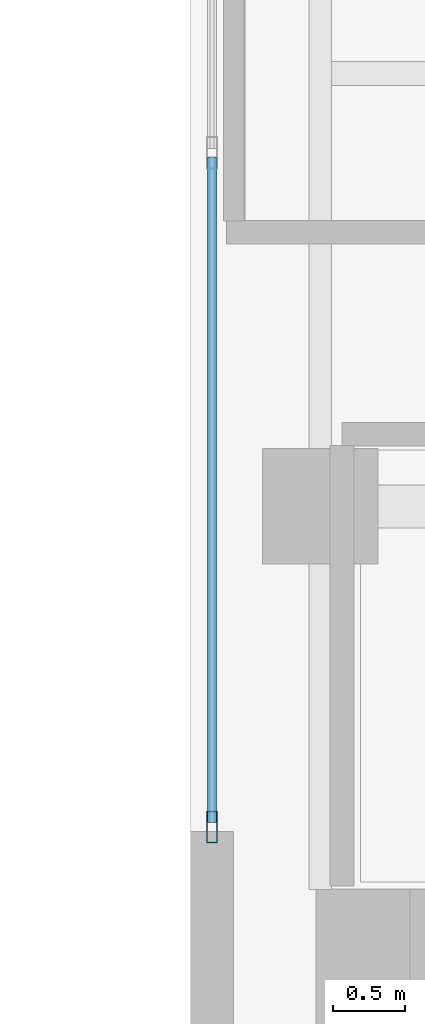
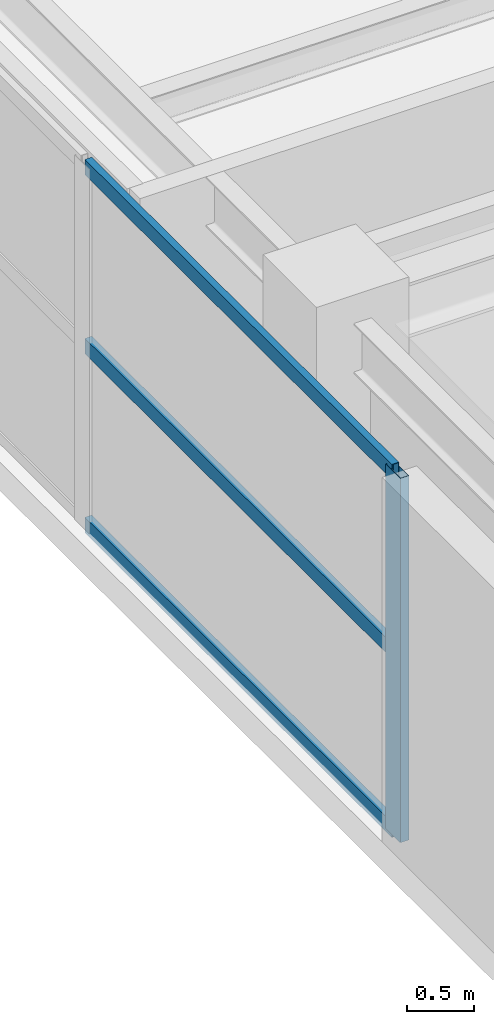
# One storey, part 8 of 21: 4 members, 1 element without a shape of its own.
"""IFC4 building model written with IfcOpenShell, lengths in metres."""

import ifcopenshell
import ifcopenshell.guid

model = None  # the IFC model being written
_history = None  # IfcOwnerHistory: only IFC2X3 demands one
_inside = {}  # id of a spatial element -> (the spatial element, [elements in it])
_under = {}  # id of a project, library or spatial element -> (it, [spatial elements below it])
_declared = {}  # id of a project -> (the project, [libraries it declares])
_typed = {}  # id of a type object -> (the type object, [elements of that type])
_made_of = {}  # id of a material, layer set ... -> (it, [elements and type objects made of it])


def new_model(schema):
    """Start an empty IFC model of exactly this schema.

    Asked for "IFC4X3", IfcOpenShell would pick the latest addendum, in which some entities
    have other attributes; the version numbers below select the first issue.
    IFC2X3 requires an IfcOwnerHistory on every rooted entity: one is made here for all.
    """
    global model, _history
    if schema == "IFC4X3":
        model = ifcopenshell.file(schema_version=(4, 3, 0, 0))
    else:
        model = ifcopenshell.file(schema=schema)
    _inside.clear()
    _under.clear()
    _declared.clear()
    _typed.clear()
    _made_of.clear()
    _history = None
    if model.schema == "IFC2X3":
        org = make("IfcOrganization", Name="unknown")
        user = make(
            "IfcPersonAndOrganization",
            ThePerson=make("IfcPerson", FamilyName="unknown"),
            TheOrganization=org,
        )
        app = make(
            "IfcApplication",
            ApplicationDeveloper=org,
            Version="unknown",
            ApplicationFullName="unknown",
            ApplicationIdentifier="unknown",
        )
        _history = make(
            "IfcOwnerHistory",
            OwningUser=user,
            OwningApplication=app,
            ChangeAction="ADDED",
            CreationDate=0,
        )
    return model


def make(cls, **values):
    """One entity of the class cls with the attributes given. An attribute that is None is left unset."""
    return model.create_entity(
        cls, **{name: value for name, value in values.items() if value is not None}
    )


def rooted(cls, **values):
    """An entity with a GlobalId (a new one), such as an element, a storey or a relation."""
    return make(cls, GlobalId=ifcopenshell.guid.new(), OwnerHistory=_history, **values)


def si_unit(unit_type, name, prefix=None):
    """IfcSIUnit, for example si_unit("LENGTHUNIT", "METRE", prefix="MILLI")."""
    return make("IfcSIUnit", UnitType=unit_type, Prefix=prefix, Name=name)


def assignment(units):
    """IfcUnitAssignment: the units of a project."""
    return None if units is None else make("IfcUnitAssignment", Units=units)


def point(xyz):
    """IfcCartesianPoint."""
    return None if xyz is None else make("IfcCartesianPoint", Coordinates=xyz)


def direction(xyz):
    """IfcDirection."""
    return None if xyz is None else make("IfcDirection", DirectionRatios=xyz)


def frame(location, z_axis=None, x_axis=None):
    """IfcAxis2Placement3D, a coordinate frame: its origin and axes. An axis left out is left unset."""
    return make(
        "IfcAxis2Placement3D",
        Location=point(location),
        Axis=direction(z_axis),
        RefDirection=direction(x_axis),
    )


def frame_2d(location, x_axis=None):
    """IfcAxis2Placement2D, a coordinate frame in the plane: its origin and x axis."""
    return make(
        "IfcAxis2Placement2D", Location=point(location), RefDirection=direction(x_axis)
    )


def origin():
    """The frame at (0, 0, 0) with its axes left unset."""
    return frame((0.0, 0.0, 0.0))


def origin_2d():
    """The frame at (0, 0) in the plane with its x axis left unset."""
    return frame_2d((0.0, 0.0))


def place(relative_to, where):
    """IfcLocalPlacement: puts the frame where relative to a parent placement (None: the world)."""
    return make(
        "IfcLocalPlacement", PlacementRelTo=relative_to, RelativePlacement=where
    )


def context(
    kind, dimensions, precision=None, world=None, true_north=None, identifier=None
):
    """IfcGeometricRepresentationContext, for example the 3D "Model" context."""
    return make(
        "IfcGeometricRepresentationContext",
        ContextIdentifier=identifier,
        ContextType=kind,
        CoordinateSpaceDimension=dimensions,
        Precision=precision,
        WorldCoordinateSystem=world,
        TrueNorth=true_north,
    )


def subcontext(parent, identifier, kind, view, scale=None):
    """IfcGeometricRepresentationSubContext, for example "Body" below "Model"."""
    return make(
        "IfcGeometricRepresentationSubContext",
        ContextIdentifier=identifier,
        ContextType=kind,
        ParentContext=parent,
        TargetScale=scale,
        TargetView=view,
    )


def project(units=None, contexts=None):
    """IfcProject with its units and contexts."""
    return rooted(
        "IfcProject",
        Name="project",
        RepresentationContexts=contexts,
        UnitsInContext=assignment(units),
    )


def spatial(cls, under=None, at=None, **own):
    """A site, building, storey or space (cls), placed at a placement, below another one or the project."""
    s = rooted(cls, ObjectPlacement=at, **own)
    if under is not None:
        _under.setdefault(under.id(), (under, []))[1].append(s)
    return s


def profile(cls, at=None, kind="AREA", **sizes):
    """A parametric profile (cls). Its sizes go by their IFC names, for example OverallWidth=200.0."""
    return make(cls, ProfileType=kind, Position=at, **sizes)


def hollow_rectangle(**sizes):
    """IfcRectangleHollowProfileDef."""
    return profile("IfcRectangleHollowProfileDef", **sizes)


def extrude(swept, where, along, depth):
    """IfcExtrudedAreaSolid: the profile swept, set in the frame where, extruded along a direction by depth."""
    return make(
        "IfcExtrudedAreaSolid",
        SweptArea=swept,
        Position=where,
        ExtrudedDirection=direction(along),
        Depth=depth,
    )


def shape(context_of_items, identifier, shape_type, items):
    """IfcShapeRepresentation: the items that make up one representation, for example the "Body"."""
    return make(
        "IfcShapeRepresentation",
        ContextOfItems=context_of_items,
        RepresentationIdentifier=identifier,
        RepresentationType=shape_type,
        Items=items,
    )


def source(mapping_origin, context_of_items, identifier, shape_type, items):
    """IfcRepresentationMap: a shape defined once, which mapped items show again and again."""
    return make(
        "IfcRepresentationMap",
        MappingOrigin=mapping_origin,
        MappedRepresentation=shape(context_of_items, identifier, shape_type, items),
    )


def transform(
    local_origin,
    x_axis=None,
    y_axis=None,
    z_axis=None,
    scale=None,
    scale2=None,
    scale3=None,
    uniform=True,
):
    """IfcCartesianTransformationOperator3D, or its non-uniform kind. x_axis, y_axis, z_axis: its Axis1, 2, 3."""
    if uniform:
        return make(
            "IfcCartesianTransformationOperator3D",
            Axis1=direction(x_axis),
            Axis2=direction(y_axis),
            LocalOrigin=point(local_origin),
            Scale=scale,
            Axis3=direction(z_axis),
        )
    return make(
        "IfcCartesianTransformationOperator3DnonUniform",
        Axis1=direction(x_axis),
        Axis2=direction(y_axis),
        LocalOrigin=point(local_origin),
        Scale=scale,
        Axis3=direction(z_axis),
        Scale2=scale2,
        Scale3=scale3,
    )


def mapped(mapping_source, mapping_target):
    """IfcMappedItem: shows the shape of a source again, moved by a transform."""
    return make(
        "IfcMappedItem", MappingSource=mapping_source, MappingTarget=mapping_target
    )


def material(Name=None, Category=None):
    """IfcMaterial."""
    return make("IfcMaterial", Name=Name, Category=Category)


def layer(
    of_material, thickness, ventilated=None, Name=None, Category=None, Priority=None
):
    """IfcMaterialLayer: one layer of a wall or slab, of a material (None: an air gap)."""
    return make(
        "IfcMaterialLayer",
        Material=of_material,
        LayerThickness=thickness,
        IsVentilated=ventilated,
        Name=Name,
        Category=Category,
        Priority=Priority,
    )


def layer_set(layers, Name=None):
    """IfcMaterialLayerSet."""
    return make("IfcMaterialLayerSet", MaterialLayers=layers, LayerSetName=Name)


def material_profile(
    of_material, cross_section, Name=None, Category=None, Priority=None
):
    """IfcMaterialProfile: a cross section and its material."""
    return make(
        "IfcMaterialProfile",
        Name=Name,
        Material=of_material,
        Profile=cross_section,
        Priority=Priority,
        Category=Category,
    )


def profile_set(profiles, Name=None, composite=None):
    """IfcMaterialProfileSet."""
    return make(
        "IfcMaterialProfileSet",
        Name=Name,
        MaterialProfiles=profiles,
        CompositeProfile=composite,
    )


def made_of(thing, what):
    """Note that an element or type object is made of a material, layer set ...; save() writes the relation."""
    if what is not None:
        _made_of.setdefault(what.id(), (what, []))[1].append(thing)
    return thing


def type_object(cls, material=None, **own):
    """A type object (cls), such as IfcWallType, which elements share."""
    return made_of(rooted(cls, **own), material)


def element(
    cls,
    number,
    at=None,
    inside=None,
    cuts=None,
    type_object=None,
    material=None,
    context=None,
    identifier="Body",
    shape_type=None,
    held_by="IfcProductDefinitionShape",
    body=None,
    shapes=None,
    **own,
):
    """One element of the class cls, such as IfcWall. Its Tag is "e" and its number.

    at: its placement. inside: the storey or other place that contains it. cuts: it is an
    opening in that element (IfcRelVoidsElement). A single representation is given by context,
    identifier, shape_type and body (its items); several are given by shapes. held_by: the class
    of the entity that holds the representations. save() writes the other relations.
    """
    e = rooted(cls, Tag="e%d" % number, ObjectPlacement=at, **own)
    if body is not None:
        shapes = [shape(context, identifier, shape_type, body)]
    if shapes is not None:
        e.Representation = make(held_by, Representations=shapes)
    if inside is not None:
        _inside.setdefault(inside.id(), (inside, []))[1].append(e)
    if cuts is not None:
        rooted(
            "IfcRelVoidsElement", RelatingBuildingElement=cuts, RelatedOpeningElement=e
        )
    if type_object is not None:
        _typed.setdefault(type_object.id(), (type_object, []))[1].append(e)
    return made_of(e, material)


def aggregate(whole, parts):
    """IfcRelAggregates: a whole, such as a stair, and the parts it consists of."""
    return rooted("IfcRelAggregates", RelatingObject=whole, RelatedObjects=parts)


def save(model, path):
    """Write the relations noted so far, then the file.

    IfcRelAggregates (storeys below a building ...), IfcRelContainedInSpatialStructure (elements
    in a storey), IfcRelDefinesByType, IfcRelAssociatesMaterial and IfcRelDeclares: one each for
    every whole, place, type object, material and project.
    """
    for whole, parts in _under.values():
        aggregate(whole, parts)
    for where, things in _inside.values():
        rooted(
            "IfcRelContainedInSpatialStructure",
            RelatedElements=things,
            RelatingStructure=where,
        )
    for kind, things in _typed.values():
        rooted("IfcRelDefinesByType", RelatedObjects=things, RelatingType=kind)
    for what, things in _made_of.values():
        rooted("IfcRelAssociatesMaterial", RelatedObjects=things, RelatingMaterial=what)
    for by, libraries in _declared.values():
        rooted("IfcRelDeclares", RelatingContext=by, RelatedDefinitions=libraries)
    model.write(path)


model = new_model("IFC4")

# Units and contexts
model_context = context("Model", 3, precision=1e-05, world=origin(), true_north=direction((0.0, 1.0)))
body_context = subcontext(model_context, "Body", "Model", "MODEL_VIEW")
ifc_project = project(units=[si_unit("LENGTHUNIT", "METRE"), si_unit("AREAUNIT", "SQUARE_METRE"), si_unit("VOLUMEUNIT", "CUBIC_METRE"), si_unit("PLANEANGLEUNIT", "RADIAN"), si_unit("MASSUNIT", "GRAM", prefix="KILO")], contexts=[model_context])

# Site, building, storey
site_placement = place(None, origin())
site = spatial("IfcSite", under=ifc_project, at=site_placement, CompositionType="ELEMENT")
building_placement = place(site_placement, origin())
building = spatial("IfcBuilding", under=site, at=building_placement, Name="Khoralis Quay Care Tower", CompositionType="ELEMENT")
storey_placement = place(building_placement, frame((0.0, 0.0, 206.10009765625)))
storey = spatial("IfcBuildingStorey", under=building, at=storey_placement, Name="L54", CompositionType="ELEMENT", Elevation=206.10009765625)

# Curtain wall, members
ifc_material = material(Name="Pale anodised aluminium", Category="aluminium")
ifc_layer = layer(ifc_material, 0.18994140625)
ifc_layer_set = layer_set([ifc_layer], Name="Pale anodised aluminium")
curtain_wall_type = type_object("IfcCurtainWallType", Name="CW-SYS-PORTAL", PredefinedType="NOTDEFINED", material=ifc_layer_set)
curtain_wall_placement = place(storey_placement, origin())
curtain_wall = element("IfcCurtainWall", 1, at=curtain_wall_placement, inside=storey, type_object=curtain_wall_type, Name="L54 Unitised Curtain Wall CW-VP-L54-P2-N", PredefinedType="NOTDEFINED")
ifc_material_profile_1 = material_profile(ifc_material, hollow_rectangle(XDim=0.06005859375, YDim=0.139892578125, WallThickness=0.00390625, at=origin_2d()), Name="Pale anodised aluminium")
ifc_profile_set_1 = profile_set([ifc_material_profile_1], Name="Pale anodised aluminium")
member_type_1 = type_object("IfcMemberType", Name="CW-TRN-140", PredefinedType="USERDEFINED", material=ifc_profile_set_1)
shared_shape_1 = source(origin(), body_context, "Body", "SweptSolid", [
    extrude(hollow_rectangle(XDim=0.06005859375, YDim=0.139892578125, WallThickness=0.00390625, at=origin_2d()), origin(), (0.0, 0.0, 1.0), 4.60986328125),
])
member_1_placement = place(storey_placement, frame((30.14990234375, 27.81005859375, 0.02978515625), z_axis=(0.0, 1.0, 0.0), x_axis=(-1.0, 0.0, 0.0)))
member_1 = element("IfcMember", 2, at=member_1_placement, type_object=member_type_1, Name="CW4 transom 1.1", ObjectType="TRANSOM", PredefinedType="USERDEFINED", context=body_context, shape_type="MappedRepresentation", body=[
    mapped(shared_shape_1, transform((0.0, 0.0, 0.0), scale=1.0)),
])
member_2_placement = place(storey_placement, frame((30.14990234375, 27.81005859375, 1.669921875), z_axis=(0.0, 1.0, 0.0), x_axis=(-1.0, 0.0, 0.0)))
member_2 = element("IfcMember", 3, at=member_2_placement, type_object=member_type_1, Name="CW4 transom 1.2", ObjectType="TRANSOM", PredefinedType="USERDEFINED", context=body_context, shape_type="MappedRepresentation", body=[
    mapped(shared_shape_1, transform((0.0, 0.0, 0.0), scale=1.0)),
])
member_3_placement = place(storey_placement, frame((30.14990234375, 27.81005859375, 3.309814453125), z_axis=(0.0, 1.0, 0.0), x_axis=(-1.0, 0.0, 0.0)))
member_3 = element("IfcMember", 4, at=member_3_placement, type_object=member_type_1, Name="CW4 transom 1.3", ObjectType="TRANSOM", PredefinedType="USERDEFINED", context=body_context, shape_type="MappedRepresentation", body=[
    mapped(shared_shape_1, transform((0.0, 0.0, 0.0), scale=1.0)),
])
ifc_material_profile_2 = material_profile(ifc_material, hollow_rectangle(XDim=0.074951171875, YDim=0.219970703125, WallThickness=0.00390625, at=origin_2d()), Name="Pale anodised aluminium")
ifc_profile_set_2 = profile_set([ifc_material_profile_2], Name="Pale anodised aluminium")
member_type_2 = type_object("IfcMemberType", Name="CW-MUL-220", PredefinedType="MULLION", material=ifc_profile_set_2)
shared_shape_2 = source(origin(), body_context, "Body", "SweptSolid", [
    extrude(hollow_rectangle(XDim=0.074951171875, YDim=0.219970703125, WallThickness=0.00390625, at=origin_2d()), origin(), (0.0, 0.0, 1.0), 3.33984375),
])
member_4_placement = place(storey_placement, frame((30.14990234375, 27.780029296875, 0.0), z_axis=(0.0, 0.0, 1.0), x_axis=(-1.0, 0.0, 0.0)))
member_4 = element("IfcMember", 5, at=member_4_placement, type_object=member_type_2, Name="CW4 mullion 1", PredefinedType="MULLION", context=body_context, shape_type="MappedRepresentation", body=[
    mapped(shared_shape_2, transform((0.0, 0.0, 0.0), scale=1.0)),
])
aggregate(curtain_wall, [member_4, member_1, member_2, member_3])

save(model, "model.ifc")
